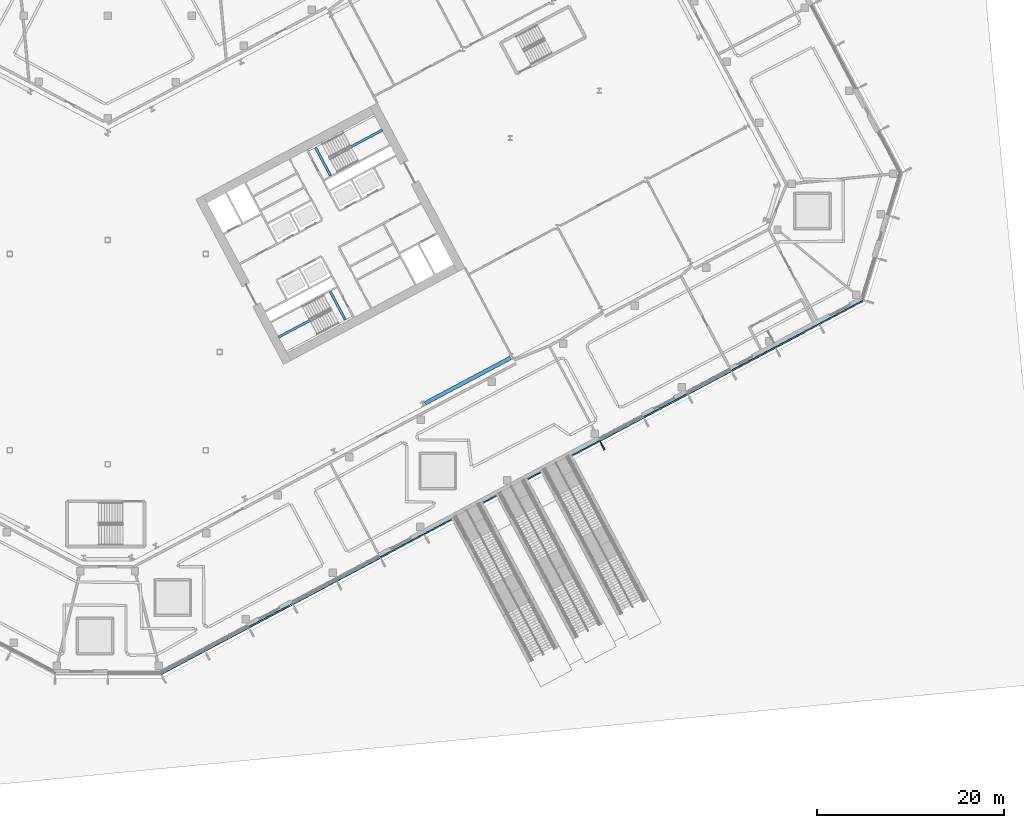
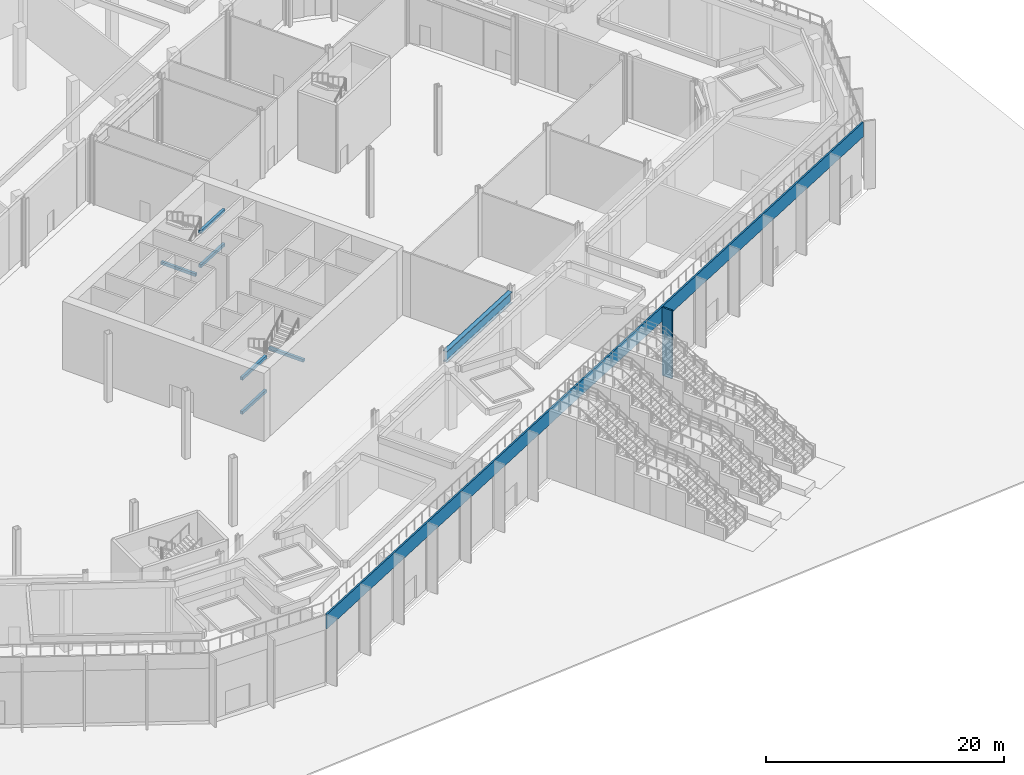
# One storey, part 8 of 57: 7 beams, 2 members, 1 element without a shape of its own.
"""IFC4 building model written with IfcOpenShell, lengths in metres."""

from ifc_helpers import new_model, si_unit, direction, frame, origin, origin_2d, place, context, subcontext, project, spatial, rectangle, i_section, extrude, material, layer, layer_set, material_profile, profile_set, type_object, element, aggregate, save


model = new_model("IFC4")

# Units and contexts
model_context = context("Model", 3, precision=1e-05, world=origin(), true_north=direction((0.0, 1.0)))
body_context = subcontext(model_context, "Body", "Model", "MODEL_VIEW")
ifc_project = project(units=[si_unit("LENGTHUNIT", "METRE"), si_unit("AREAUNIT", "SQUARE_METRE"), si_unit("VOLUMEUNIT", "CUBIC_METRE"), si_unit("PLANEANGLEUNIT", "RADIAN"), si_unit("MASSUNIT", "GRAM", prefix="KILO")], contexts=[model_context])

# Site, building, storey
site_placement = place(None, origin())
site = spatial("IfcSite", under=ifc_project, at=site_placement, CompositionType="ELEMENT")
building_placement = place(site_placement, origin())
building = spatial("IfcBuilding", under=site, at=building_placement, Name="Cormorant Relay Tower", CompositionType="ELEMENT")
storey_placement = place(building_placement, origin())
storey = spatial("IfcBuildingStorey", under=building, at=storey_placement, Name="L00", CompositionType="ELEMENT", Elevation=0.0)

# Curtain wall, members
ifc_material_1 = material(Name="Aluminium 6063-T6 anodised bronze", Category="aluminium")
ifc_layer = layer(ifc_material_1, 0.199951171875)
ifc_layer_set = layer_set([ifc_layer], Name="CW2 base storefront")
curtain_wall_type = type_object("IfcCurtainWallType", Name="CW2 base storefront", PredefinedType="NOTDEFINED", material=ifc_layer_set)
curtain_wall_placement = place(storey_placement, origin())
curtain_wall = element("IfcCurtainWall", 1, at=curtain_wall_placement, inside=storey, type_object=curtain_wall_type, Name="CW2 curtain wall 1", PredefinedType="NOTDEFINED")
ifc_material_2 = material(Name="Aluminium 6063-T6 anodised bronze", Category="aluminium")
ifc_material_profile_1 = material_profile(ifc_material_2, rectangle(XDim=0.14990234375, YDim=1.0, at=origin_2d()), Name="AL 150x1000")
ifc_profile_set_1 = profile_set([ifc_material_profile_1], Name="Aluminium 6063-T6 anodised bronze")
member_type_1 = type_object("IfcMemberType", Name="CW2 bronze fin mullion 150 x 1000", PredefinedType="MULLION", material=ifc_profile_set_1)
member_1_placement = place(storey_placement, frame((52.947021484375, -10.015380859375, 0.0), z_axis=(0.0, 0.0, 1.0), x_axis=(0.882947592859, 0.469471562786, 0.0)))
member_1 = element("IfcMember", 2, at=member_1_placement, type_object=member_type_1, Name="CW2 fin 1.11", PredefinedType="MULLION", context=body_context, shape_type="SweptSolid", body=[
    extrude(rectangle(XDim=0.14990234375, YDim=1.0, at=origin_2d()), origin(), (0.0, 0.0, 1.0), 7.0),
])
ifc_material_3 = material(Name="Aluminium 6063-T6 anodised bronze", Category="aluminium")
ifc_material_profile_2 = material_profile(ifc_material_3, rectangle(XDim=0.159912109375, YDim=1.5, at=origin_2d()), Name="AL 160x1500")
ifc_profile_set_2 = profile_set([ifc_material_profile_2], Name="Aluminium 6063-T6 anodised bronze")
member_type_2 = type_object("IfcMemberType", Name="CW2 bronze transom 160 x 1500", PredefinedType="USERDEFINED", material=ifc_profile_set_2)
member_2_placement = place(storey_placement, frame((5.697021484375, -34.4814453125, 6.25), z_axis=(0.882948123235, 0.469470565291, 0.0), x_axis=(-0.469470565291, 0.882948123235, 0.0)))
member_2 = element("IfcMember", 3, at=member_2_placement, type_object=member_type_2, Name="CW2 transom 1", ObjectType="TRANSOM", PredefinedType="USERDEFINED", context=body_context, shape_type="SweptSolid", body=[
    extrude(rectangle(XDim=0.159912109375, YDim=1.5, at=origin_2d()), origin(), (0.0, 0.0, 1.0), 85.12841796875),
])
aggregate(curtain_wall, [member_1, member_2])

# Beams
ifc_material_4 = material(Name="Steel ASTM A992 (Fy 345 MPa)", Category="steel")
ifc_material_profile_3 = material_profile(ifc_material_4, i_section(OverallWidth=0.408935546875, OverallDepth=1.137939453125, WebThickness=0.031005859375, FlangeThickness=0.05517578125, FilletRadius=0.02001953125, at=origin_2d()), Name="W1100x607")
ifc_profile_set_3 = profile_set([ifc_material_profile_3], Name="Steel ASTM A992 (Fy 345 MPa)")
beam_type_1 = type_object("IfcBeamType", Name="Spandrel W1100x607", PredefinedType="SPANDREL", material=ifc_profile_set_3)
beam_1_placement = place(storey_placement, frame((33.9716796875, -5.4892578125, 5.98095703125), z_axis=(0.882947604656, 0.469471540599, 0.0), x_axis=(-0.469471540599, 0.882947604656, 0.0)))
element("IfcBeam", 4, at=beam_1_placement, inside=storey, type_object=beam_type_1, Name="Spandrel beam L00-002", PredefinedType="SPANDREL", context=body_context, shape_type="SweptSolid", body=[
    extrude(i_section(OverallWidth=0.408935546875, OverallDepth=1.137939453125, WebThickness=0.031005859375, FlangeThickness=0.05517578125, FilletRadius=0.02001953125, at=origin_2d()), origin(), (0.0, 0.0, 1.0), 10.36376953125),
])
ifc_material_5 = material(Name="Concrete 50 MPa", Category="concrete")
ifc_material_profile_4 = material_profile(ifc_material_5, rectangle(XDim=0.25, YDim=0.300048828125, at=origin_2d()), Name="RC 250x300")
ifc_profile_set_4 = profile_set([ifc_material_profile_4], Name="Concrete 50 MPa")
beam_type_2 = type_object("IfcBeamType", Name="Stair landing ledge beam 250x300", PredefinedType="BEAM", material=ifc_profile_set_4)
beam_2_placement = place(storey_placement, frame((21.672119140625, 3.39697265625, 1.39990234375), z_axis=(-0.882953908948, -0.469459683757, 0.0), x_axis=(0.469459683757, -0.882953908948, 0.0)))
element("IfcBeam", 5, at=beam_2_placement, inside=storey, type_object=beam_type_2, Name="B1 landing ledge beam", PredefinedType="BEAM", context=body_context, shape_type="SweptSolid", body=[
    extrude(rectangle(XDim=0.25, YDim=0.300048828125, at=origin_2d()), origin(), (0.0, 0.0, 1.0), 3.830078125),
])
beam_3_placement = place(storey_placement, frame((23.815673828125, 6.490478515625, 3.14990234375), z_axis=(0.469463917486, -0.882951657895, 0.0), x_axis=(0.882951657895, 0.469463917486, 0.0)))
element("IfcBeam", 6, at=beam_3_placement, inside=storey, type_object=beam_type_2, Name="B1 landing ledge beam", PredefinedType="BEAM", context=body_context, shape_type="SweptSolid", body=[
    extrude(rectangle(XDim=0.25, YDim=0.300048828125, at=origin_2d()), origin(), (0.0, 0.0, 1.0), 3.449951171875),
])
for number, where, z_axis, x_axis, name in (
    (7, (21.672119140625, 3.39697265625, 4.89990234375), (-0.882953908948, -0.469459683757, 0.0), (0.469459683757, -0.882953908948, 0.0), "B1 landing ledge beam"),
    (8, (26.007080078125, 21.95458984375, 1.39990234375), (0.882980330109, 0.469409987794, 0.0), (-0.469409987794, 0.882980330109, 0.0), "B2 landing ledge beam"),
):
    element("IfcBeam", number, at=place(storey_placement, frame(where, z_axis=z_axis, x_axis=x_axis)), inside=storey, type_object=beam_type_2, Name=name, PredefinedType="BEAM", context=body_context, shape_type="SweptSolid", body=[
        extrude(rectangle(XDim=0.25, YDim=0.300048828125, at=origin_2d()), origin(), (0.0, 0.0, 1.0), 3.830078125),
    ])
beam_4_placement = place(storey_placement, frame((23.863525390625, 18.861083984375, 3.14990234375), z_axis=(-0.469463917486, 0.882951657895, 0.0), x_axis=(-0.882951657895, -0.469463917486, 0.0)))
element("IfcBeam", 9, at=beam_4_placement, inside=storey, type_object=beam_type_2, Name="B2 landing ledge beam", PredefinedType="BEAM", context=body_context, shape_type="SweptSolid", body=[
    extrude(rectangle(XDim=0.25, YDim=0.300048828125, at=origin_2d()), origin(), (0.0, 0.0, 1.0), 3.449951171875),
])
beam_5_placement = place(storey_placement, frame((26.007080078125, 21.95458984375, 4.89990234375), z_axis=(0.882980330109, 0.469409987794, 0.0), x_axis=(-0.469409987794, 0.882980330109, 0.0)))
element("IfcBeam", 10, at=beam_5_placement, inside=storey, type_object=beam_type_2, Name="B2 landing ledge beam", PredefinedType="BEAM", context=body_context, shape_type="SweptSolid", body=[
    extrude(rectangle(XDim=0.25, YDim=0.300048828125, at=origin_2d()), origin(), (0.0, 0.0, 1.0), 3.830078125),
])

save(model, "model.ifc")
